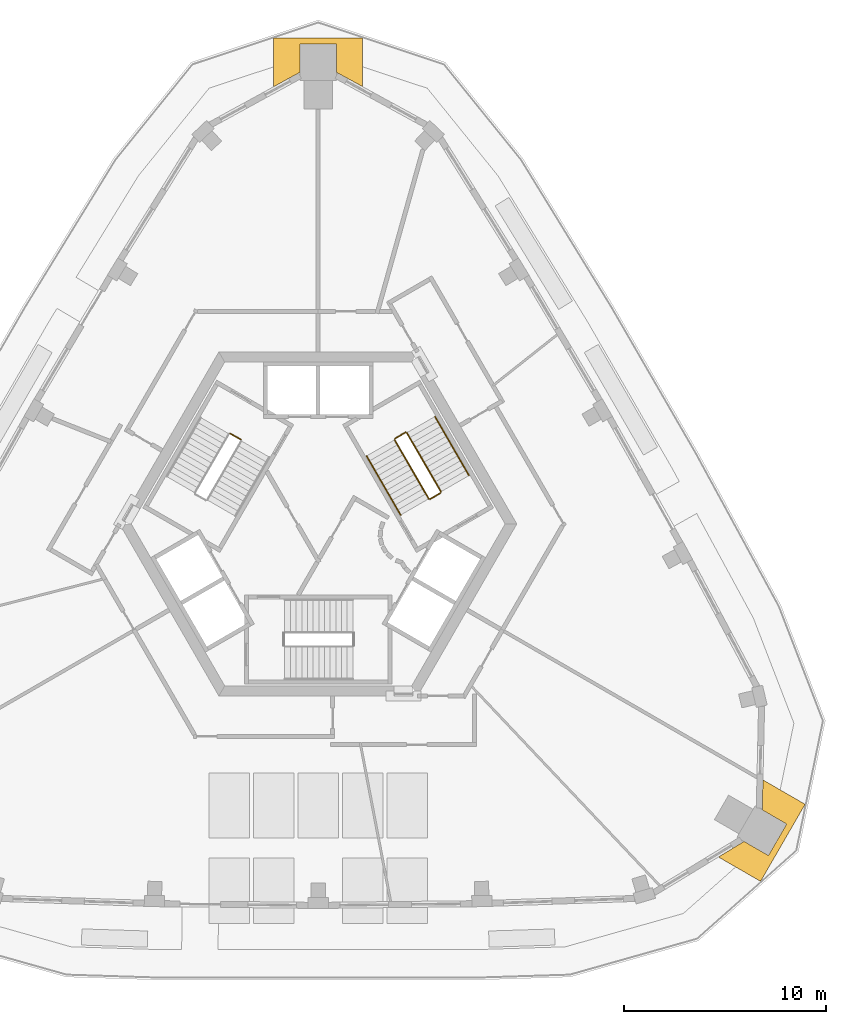
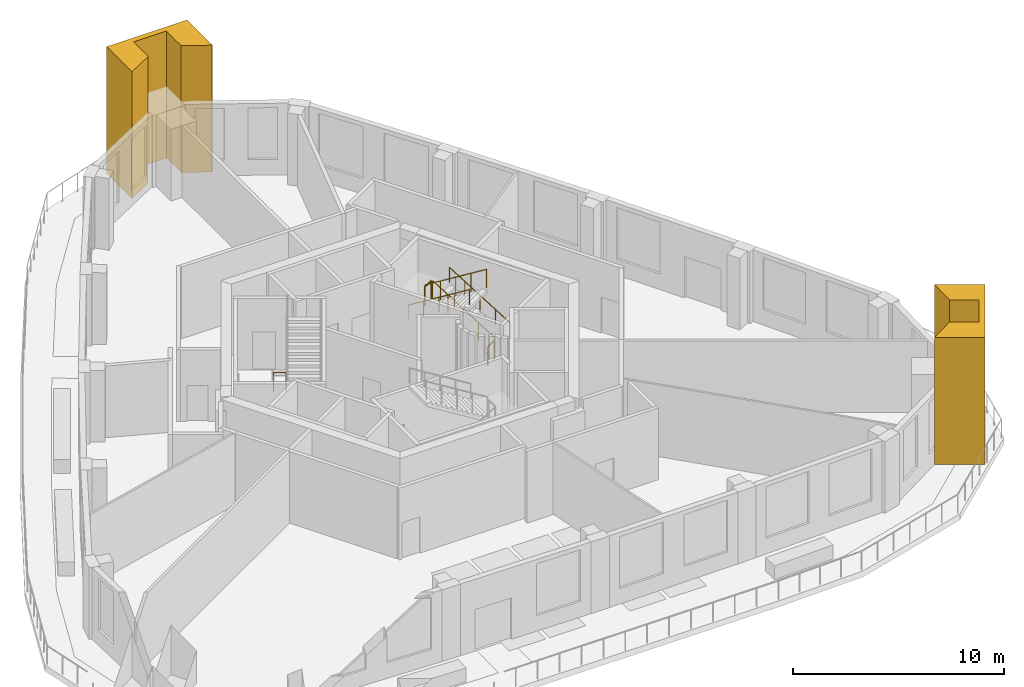
# One storey, part 9 of 9: 7 railings, 2 coverings.
"""IFC4 building model written with IfcOpenShell, lengths in metres."""

from ifc_helpers import new_model, si_unit, direction, frame, origin, origin_2d, place, context, subcontext, project, spatial, polyline, circle, outline, extrude, material, type_object, element, save


model = new_model("IFC4")

# Units and contexts
model_context = context("Model", 3, precision=1e-05, world=origin(), true_north=direction((0.0, 1.0)))
body_context = subcontext(model_context, "Body", "Model", "MODEL_VIEW")
ifc_project = project(units=[si_unit("LENGTHUNIT", "METRE"), si_unit("AREAUNIT", "SQUARE_METRE"), si_unit("VOLUMEUNIT", "CUBIC_METRE"), si_unit("PLANEANGLEUNIT", "RADIAN"), si_unit("MASSUNIT", "GRAM", prefix="KILO")], contexts=[model_context])

# Site, building, storey
site_placement = place(None, origin())
site = spatial("IfcSite", under=ifc_project, at=site_placement, CompositionType="ELEMENT")
building_placement = place(site_placement, origin())
building = spatial("IfcBuilding", under=site, at=building_placement, Name="Entoto Arch Interchange Tower", CompositionType="ELEMENT")
storey_placement = place(building_placement, frame((0.0, 0.0, 331.39990234375)))
storey = spatial("IfcBuildingStorey", under=building, at=storey_placement, Name="L78", CompositionType="ELEMENT", Elevation=331.39990234375)

# Coverings
ifc_material_1 = material(Name="Board-marked precast concrete C50/60", Category="concrete")
covering_type = type_object("IfcCoveringType", Name="PRECAST FRAME COURSE", PredefinedType="CLADDING", material=ifc_material_1)
covering_1_placement = place(storey_placement, origin())
element("IfcCovering", 1, at=covering_1_placement, inside=storey, type_object=covering_type, Name="Corner pilaster SE L78-L79", PredefinedType="CLADDING", context=body_context, shape_type="SweptSolid", body=[
    extrude(outline(polyline([(24.06005859375, -11.35107421875), (21.860107421875, -15.160888671875), (19.781982421875, -13.9609375), (19.787109375, -13.952880859375), (21.0439453125, -13.18896484375), (22.25, -13.885009765625), (23.14990234375, -12.326904296875), (21.944091796875, -11.6298828125), (21.97705078125, -10.158935546875), (21.98193359375, -10.15087890625), (24.06005859375, -11.35107421875)])), origin(), (0.0, 0.0, 1.0), 7.35009765625),
])
covering_2_placement = place(storey_placement, origin())
element("IfcCovering", 2, at=covering_2_placement, inside=storey, type_object=covering_type, Name="Corner pilaster N L78-L79", PredefinedType="CLADDING", context=body_context, shape_type="SweptSolid", body=[
    extrude(outline(polyline([(-2.199951171875, 26.511962890625), (2.199951171875, 26.511962890625), (2.199951171875, 24.112060546875), (2.19091796875, 24.112060546875), (0.89990234375, 24.819091796875), (0.89990234375, 26.2119140625), (-0.89990234375, 26.2119140625), (-0.89990234375, 24.819091796875), (-2.19091796875, 24.112060546875), (-2.199951171875, 24.112060546875), (-2.199951171875, 26.511962890625)])), origin(), (0.0, 0.0, 1.0), 7.35009765625),
])

# Railings
ifc_material_2 = material(Name="Stainless steel 1.4301", Category="steel")
railing_type_1 = type_object("IfcRailingType", Name="STAIR GUARD 1100 STEEL", PredefinedType="GUARDRAIL", material=ifc_material_2)
railing_1_placement = place(storey_placement, frame((6.064453125, 4.095947265625, 0.173095703125)))
element("IfcRailing", 3, at=railing_1_placement, inside=storey, type_object=railing_type_1, Name="L78 ST-NE stair guard 1", PredefinedType="GUARDRAIL", context=body_context, shape_type="SweptSolid", body=[
    extrude(circle(Radius=0.02392578125, at=origin_2d()), frame((0.0, 0.0, 1.076171875), z_axis=(-0.425288379326, 0.736667954249, 0.525785240943), x_axis=(-0.866039179741, -0.499976138585, 0.0)), (0.0, 0.0, 1.0), 3.9501953125),
    extrude(circle(Radius=0.02099609375, at=origin_2d()), origin(), (0.0, 0.0, 1.0), 1.052001953125),
    extrude(circle(Radius=0.02099609375, at=origin_2d()), frame((-0.419921875, 0.7275390625, 0.519287109375)), (0.0, 0.0, 1.0), 1.052001953125),
    extrude(circle(Radius=0.02099609375, at=origin_2d()), frame((-0.83984375, 1.455078125, 1.03857421875)), (0.0, 0.0, 1.0), 1.052001953125),
    extrude(circle(Radius=0.02099609375, at=origin_2d()), frame((-1.260009765625, 2.182373046875, 1.5576171875)), (0.0, 0.0, 1.0), 1.052001953125),
    extrude(circle(Radius=0.02099609375, at=origin_2d()), frame((-1.679931640625, 2.909912109375, 2.076904296875)), (0.0, 0.0, 1.0), 1.052001953125),
])
railing_2_placement = place(storey_placement, frame((4.316162109375, 7.024169921875, 2.25)))
element("IfcRailing", 4, at=railing_2_placement, inside=storey, type_object=railing_type_1, Name="L78 ST-NE stair guard 2", PredefinedType="GUARDRAIL", context=body_context, shape_type="SweptSolid", body=[
    extrude(circle(Radius=0.02392578125, at=origin_2d()), frame((0.0, 0.0, 1.076171875), z_axis=(-0.865955154139, -0.50012165622, 0.0), x_axis=(0.50012165622, -0.865955154139, 0.0)), (0.0, 0.0, 1.0), 0.599853515625),
    extrude(circle(Radius=0.02099609375, at=origin_2d()), origin(), (0.0, 0.0, 1.0), 1.052001953125),
    extrude(circle(Radius=0.02099609375, at=origin_2d()), frame((-0.51953125, -0.300048828125, 0.0)), (0.0, 0.0, 1.0), 1.052001953125),
])
railing_3_placement = place(storey_placement, frame((3.7783203125, 6.656005859375, 2.423095703125)))
element("IfcRailing", 5, at=railing_3_placement, inside=storey, type_object=railing_type_1, Name="L78 ST-NE stair guard 3", PredefinedType="GUARDRAIL", context=body_context, shape_type="SweptSolid", body=[
    extrude(circle(Radius=0.02392578125, at=origin_2d()), frame((0.0, 0.0, 1.076171875), z_axis=(0.425288379326, -0.736667954249, 0.525785240943), x_axis=(0.866039179741, 0.499976138585, 0.0)), (0.0, 0.0, 1.0), 3.9501953125),
    extrude(circle(Radius=0.02099609375, at=origin_2d()), origin(), (0.0, 0.0, 1.0), 1.052001953125),
    extrude(circle(Radius=0.02099609375, at=origin_2d()), frame((0.419921875, -0.7275390625, 0.519287109375)), (0.0, 0.0, 1.0), 1.052001953125),
    extrude(circle(Radius=0.02099609375, at=origin_2d()), frame((0.83984375, -1.455078125, 1.03857421875)), (0.0, 0.0, 1.0), 1.052001953125),
    extrude(circle(Radius=0.02099609375, at=origin_2d()), frame((1.260009765625, -2.182373046875, 1.5576171875)), (0.0, 0.0, 1.0), 1.052001953125),
    extrude(circle(Radius=0.02099609375, at=origin_2d()), frame((1.679931640625, -2.909912109375, 2.076904296875)), (0.0, 0.0, 1.0), 1.052001953125),
])
railing_4_placement = place(storey_placement, frame((6.046142578125, 4.02783203125, 0.0)))
element("IfcRailing", 6, at=railing_4_placement, inside=storey, type_object=railing_type_1, Name="L78 ST-NE stair guard 4", PredefinedType="GUARDRAIL", context=body_context, shape_type="SweptSolid", body=[
    extrude(circle(Radius=0.02392578125, at=origin_2d()), frame((0.0, 0.0, 1.076171875), z_axis=(-0.865955154139, -0.50012165622, 0.0), x_axis=(0.50012165622, -0.865955154139, 0.0)), (0.0, 0.0, 1.0), 0.599853515625),
    extrude(circle(Radius=0.02099609375, at=origin_2d()), origin(), (0.0, 0.0, 1.0), 1.052001953125),
    extrude(circle(Radius=0.02099609375, at=origin_2d()), frame((-0.51953125, -0.300048828125, 0.0)), (0.0, 0.0, 1.0), 1.052001953125),
])
railing_5_placement = place(storey_placement, frame((-4.34619140625, 6.97216796875, 0.0)))
element("IfcRailing", 7, at=railing_5_placement, inside=storey, type_object=railing_type_1, Name="L78 ST-NW stair guard 4", PredefinedType="GUARDRAIL", context=body_context, shape_type="SweptSolid", body=[
    extrude(circle(Radius=0.02392578125, at=origin_2d()), frame((0.0, 0.0, 1.076171875), z_axis=(0.866232998003, -0.499640263761, 0.0), x_axis=(0.499640263761, 0.866232998003, 0.0)), (0.0, 0.0, 1.0), 0.60009765625),
    extrude(circle(Radius=0.02099609375, at=origin_2d()), origin(), (0.0, 0.0, 1.0), 1.052001953125),
    extrude(circle(Radius=0.02099609375, at=origin_2d()), frame((0.519775390625, -0.2998046875, 0.0)), (0.0, 0.0, 1.0), 1.052001953125),
])
railing_type_2 = type_object("IfcRailingType", Name="STAIR HANDRAIL 900 STEEL", PredefinedType="HANDRAIL", material=ifc_material_2)
railing_6_placement = place(storey_placement, frame((7.4501953125, 4.89599609375, 0.173095703125)))
element("IfcRailing", 8, at=railing_6_placement, inside=storey, type_object=railing_type_2, Name="L78 ST-NE stair handrail 1", PredefinedType="HANDRAIL", context=body_context, shape_type="SweptSolid", body=[
    extrude(circle(Radius=0.02392578125, at=origin_2d()), frame((0.0, 0.0, 0.8759765625), z_axis=(-0.42533900462, 0.736648589954, 0.52577141998), x_axis=(-0.866007717299, -0.500030632641, 0.0)), (0.0, 0.0, 1.0), 3.9501953125),
    extrude(circle(Radius=0.02099609375, at=origin_2d()), origin(), (0.0, 0.0, 1.0), 0.851806640625),
    extrude(circle(Radius=0.02099609375, at=origin_2d()), frame((-0.419921875, 0.7275390625, 0.519287109375)), (0.0, 0.0, 1.0), 0.851806640625),
    extrude(circle(Radius=0.02099609375, at=origin_2d()), frame((-0.840087890625, 1.455078125, 1.03857421875)), (0.0, 0.0, 1.0), 0.851806640625),
    extrude(circle(Radius=0.02099609375, at=origin_2d()), frame((-1.26025390625, 2.182373046875, 1.5576171875)), (0.0, 0.0, 1.0), 0.851806640625),
    extrude(circle(Radius=0.02099609375, at=origin_2d()), frame((-1.68017578125, 2.909912109375, 2.076904296875)), (0.0, 0.0, 1.0), 0.851806640625),
])
railing_7_placement = place(storey_placement, frame((2.392578125, 5.85595703125, 2.423095703125)))
element("IfcRailing", 9, at=railing_7_placement, inside=storey, type_object=railing_type_2, Name="L78 ST-NE stair handrail 2", PredefinedType="HANDRAIL", context=body_context, shape_type="SweptSolid", body=[
    extrude(circle(Radius=0.02392578125, at=origin_2d()), frame((0.0, 0.0, 0.8759765625), z_axis=(0.425288379326, -0.736667954249, 0.525785240943), x_axis=(0.866039179741, 0.499976138585, 0.0)), (0.0, 0.0, 1.0), 3.9501953125),
    extrude(circle(Radius=0.02099609375, at=origin_2d()), origin(), (0.0, 0.0, 1.0), 0.851806640625),
    extrude(circle(Radius=0.02099609375, at=origin_2d()), frame((0.419921875, -0.7275390625, 0.519287109375)), (0.0, 0.0, 1.0), 0.851806640625),
    extrude(circle(Radius=0.02099609375, at=origin_2d()), frame((0.83984375, -1.455078125, 1.03857421875)), (0.0, 0.0, 1.0), 0.851806640625),
    extrude(circle(Radius=0.02099609375, at=origin_2d()), frame((1.260009765625, -2.182373046875, 1.5576171875)), (0.0, 0.0, 1.0), 0.851806640625),
    extrude(circle(Radius=0.02099609375, at=origin_2d()), frame((1.679931640625, -2.909912109375, 2.076904296875)), (0.0, 0.0, 1.0), 0.851806640625),
])

save(model, "model.ifc")
